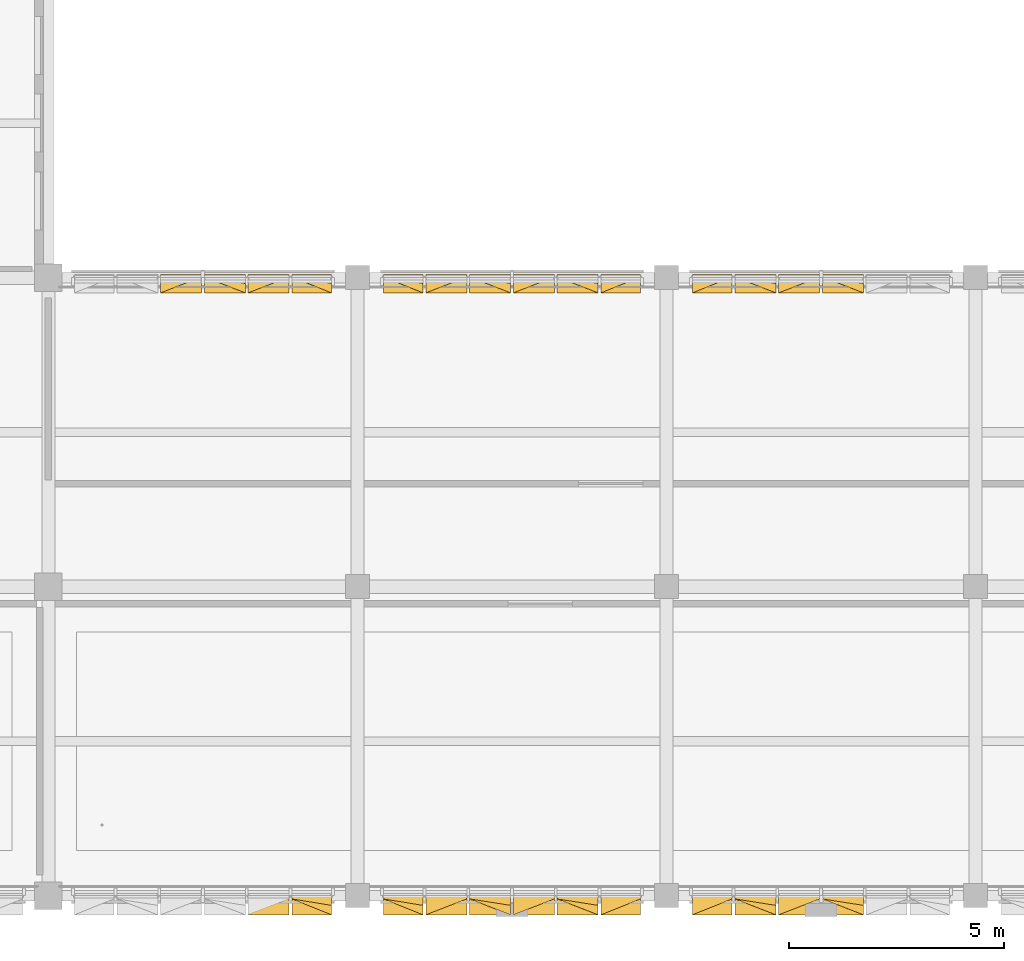
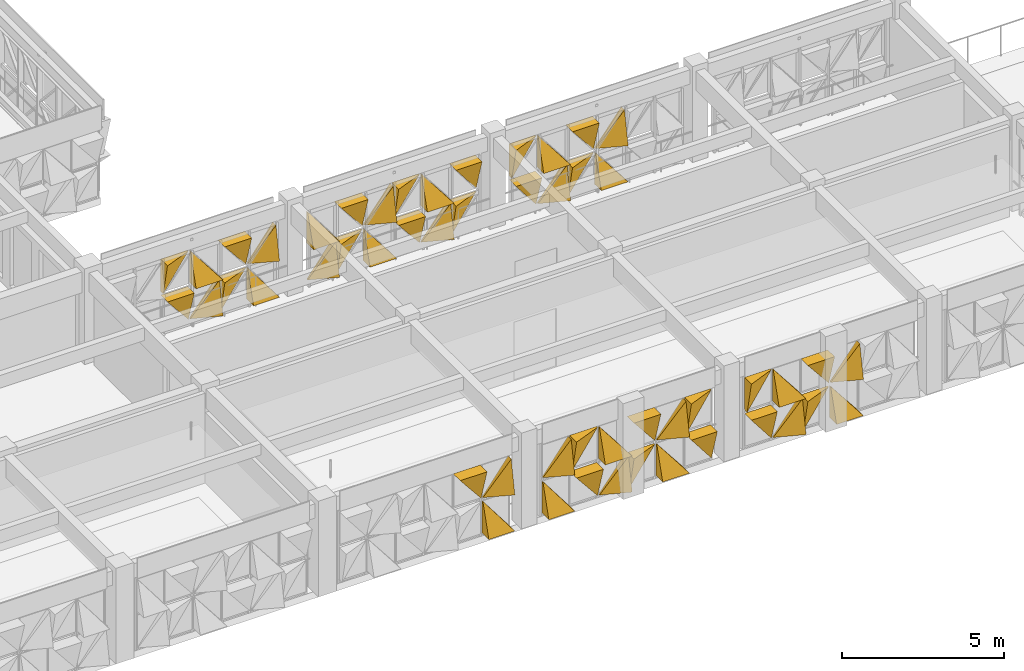
# One storey, part 78 of 85: 51 coverings.
"""IFC4 building model written with IfcOpenShell, lengths in metres."""

from ifc_helpers import new_model, si_unit, direction, frame, origin, place, context, subcontext, project, spatial, polygons, material, layer, layer_set, type_object, element, save


model = new_model("IFC4")

# Units and contexts
model_context = context("Model", 3, precision=1e-05, world=origin(), true_north=direction((0.0, 1.0)))
body_context = subcontext(model_context, "Body", "Model", "MODEL_VIEW")
ifc_project = project(units=[si_unit("LENGTHUNIT", "METRE"), si_unit("AREAUNIT", "SQUARE_METRE"), si_unit("VOLUMEUNIT", "CUBIC_METRE"), si_unit("PLANEANGLEUNIT", "RADIAN"), si_unit("MASSUNIT", "GRAM", prefix="KILO")], contexts=[model_context])

# Site, building, storey
site_placement = place(None, origin())
site = spatial("IfcSite", under=ifc_project, at=site_placement, CompositionType="ELEMENT")
building_placement = place(site_placement, origin())
building = spatial("IfcBuilding", under=site, at=building_placement, Name="Alvorim Cloister Faculty of Sciences", CompositionType="ELEMENT")
storey_placement = place(building_placement, frame((0.0, 0.0, 8.550048828125)))
storey = spatial("IfcBuildingStorey", under=building, at=storey_placement, Name="L02", CompositionType="ELEMENT", Elevation=8.550048828125)

# Coverings
ifc_material = material(Name="Perforated Bronze Alloy Sheet", Category="metal")
ifc_layer = layer(ifc_material, 0.0380859375)
ifc_layer_set = layer_set([ifc_layer], Name="Perforated Bronze Alloy Sheet")
covering_type = type_object("IfcCoveringType", Name="COV-TRI-BRZ", PredefinedType="CLADDING", material=ifc_layer_set)
covering_1_placement = place(storey_placement, frame((31.41259765625, 14.445068359375, 0.139892578125), z_axis=(0.0, 0.0, 1.0), x_axis=(1.0, 0.0, 0.0)))
element("IfcCovering", 1, at=covering_1_placement, inside=storey, type_object=covering_type, Name="Diagonal Solid Metal Triangle TRI-TR", PredefinedType="CLADDING", context=body_context, shape_type="Tessellation", body=[
    polygons([(0.955078125, 0.0260009765625, 0.002), (0.955078125, 0.0260009765625, 1.215087890625), (0.002, 0.0260009765625, 1.215087890625), (0.955078125, -0.03, 0.002), (0.955078125, -0.4, 1.215087890625), (0.002, -0.4, 1.215087890625)], [[[1, 3, 2]], [[4, 5, 6]], [[1, 2, 5, 4]], [[2, 3, 6, 5]], [[3, 1, 4, 6]]], closed=True),
])
covering_2_placement = place(storey_placement, frame((31.41259765625, 14.445068359375, 1.494873046875), z_axis=(0.0, 0.0, 1.0), x_axis=(1.0, 0.0, 0.0)))
element("IfcCovering", 2, at=covering_2_placement, inside=storey, type_object=covering_type, Name="Diagonal Solid Metal Triangle TRI-TL", PredefinedType="CLADDING", context=body_context, shape_type="Tessellation", body=[
    polygons([(0.953078125, 0.0260009765625, 1.215087890625), (0.0, 0.0260009765625, 1.215087890625), (0.0, 0.0260009765625, 0.002), (0.953078125, -0.03, 1.215087890625), (0.0, -0.4, 1.215087890625), (0.0, -0.13999999999999999, 0.002)], [[[1, 3, 2]], [[4, 5, 6]], [[1, 2, 5, 4]], [[2, 3, 6, 5]], [[3, 1, 4, 6]]], closed=True),
])
covering_3_placement = place(storey_placement, frame((32.4326171875, 14.445068359375, 0.139892578125), z_axis=(0.0, 0.0, 1.0), x_axis=(1.0, 0.0, 0.0)))
element("IfcCovering", 3, at=covering_3_placement, inside=storey, type_object=covering_type, Name="Diagonal Solid Metal Triangle TRI-BR", PredefinedType="CLADDING", context=body_context, shape_type="Tessellation", body=[
    polygons([(0.002, 0.0260009765625, 0.0), (0.955078125, 0.0260009765625, 0.0), (0.955078125, 0.0260009765625, 1.213087890625), (0.002, -0.03, 0.0), (0.955078125, -0.4, 0.0), (0.955078125, -0.18000000000000002, 1.213087890625)], [[[1, 3, 2]], [[4, 5, 6]], [[1, 2, 5, 4]], [[2, 3, 6, 5]], [[3, 1, 4, 6]]], closed=True),
])
covering_4_placement = place(storey_placement, frame((32.4326171875, 14.445068359375, 1.494873046875), z_axis=(0.0, 0.0, 1.0), x_axis=(1.0, 0.0, 0.0)))
element("IfcCovering", 4, at=covering_4_placement, inside=storey, type_object=covering_type, Name="Diagonal Solid Metal Triangle TRI-BL", PredefinedType="CLADDING", context=body_context, shape_type="Tessellation", body=[
    polygons([(0.0, 0.0260009765625, 0.0), (0.953078125, 0.0260009765625, 0.0), (0.0, 0.0260009765625, 1.213087890625), (0.0, -0.4, 0.0), (0.953078125, -0.4, 0.0), (0.0, -0.03, 1.213087890625)], [[[1, 3, 2]], [[4, 5, 6]], [[1, 2, 5, 4]], [[2, 3, 6, 5]], [[3, 1, 4, 6]]], closed=True),
])
covering_5_placement = place(storey_placement, frame((33.452392578125, 14.445068359375, 0.139892578125), z_axis=(0.0, 0.0, 1.0), x_axis=(1.0, 0.0, 0.0)))
element("IfcCovering", 5, at=covering_5_placement, inside=storey, type_object=covering_type, Name="Diagonal Solid Metal Triangle TRI-TL", PredefinedType="CLADDING", context=body_context, shape_type="Tessellation", body=[
    polygons([(0.953078125, 0.0260009765625, 1.215087890625), (0.0, 0.0260009765625, 1.215087890625), (0.0, 0.0260009765625, 0.002), (0.953078125, -0.03, 1.215087890625), (0.0, -0.4, 1.215087890625), (0.0, -0.13999999999999999, 0.002)], [[[1, 3, 2]], [[4, 5, 6]], [[1, 2, 5, 4]], [[2, 3, 6, 5]], [[3, 1, 4, 6]]], closed=True),
])
covering_6_placement = place(storey_placement, frame((33.452392578125, 14.445068359375, 1.494873046875), z_axis=(0.0, 0.0, 1.0), x_axis=(1.0, 0.0, 0.0)))
element("IfcCovering", 6, at=covering_6_placement, inside=storey, type_object=covering_type, Name="Diagonal Solid Metal Triangle TRI-TR", PredefinedType="CLADDING", context=body_context, shape_type="Tessellation", body=[
    polygons([(0.955078125, 0.0260009765625, 0.002), (0.955078125, 0.0260009765625, 1.215087890625), (0.002, 0.0260009765625, 1.215087890625), (0.955078125, -0.03, 0.002), (0.955078125, -0.4, 1.215087890625), (0.002, -0.4, 1.215087890625)], [[[1, 3, 2]], [[4, 5, 6]], [[1, 2, 5, 4]], [[2, 3, 6, 5]], [[3, 1, 4, 6]]], closed=True),
])
covering_7_placement = place(storey_placement, frame((34.472412109375, 14.445068359375, 0.139892578125), z_axis=(0.0, 0.0, 1.0), x_axis=(1.0, 0.0, 0.0)))
element("IfcCovering", 7, at=covering_7_placement, inside=storey, type_object=covering_type, Name="Diagonal Solid Metal Triangle TRI-BL", PredefinedType="CLADDING", context=body_context, shape_type="Tessellation", body=[
    polygons([(0.0, 0.0260009765625, 0.0), (0.920607421875, 0.0260009765625, 0.0), (0.0, 0.0260009765625, 1.213087890625), (0.0, -0.4, 0.0), (0.920607421875, -0.4, 0.0), (0.0, -0.03, 1.213087890625)], [[[1, 3, 2]], [[4, 5, 6]], [[1, 2, 5, 4]], [[2, 3, 6, 5]], [[3, 1, 4, 6]]], closed=True),
])
for number, where, z_axis, x_axis, name in (
    (8, (34.472412109375, 14.445068359375, 1.494873046875), (0.0, 0.0, 1.0), (1.0, 0.0, 0.0), "Diagonal Solid Metal Triangle TRI-BR"),
    (9, (36.60498046875, 14.445068359375, 0.139892578125), (0.0, 0.0, 1.0), (1.0, 0.0, 0.0), "Diagonal Solid Metal Triangle TRI-BR"),
):
    element("IfcCovering", number, at=place(storey_placement, frame(where, z_axis=z_axis, x_axis=x_axis)), inside=storey, type_object=covering_type, Name=name, PredefinedType="CLADDING", context=body_context, shape_type="Tessellation", body=[
        polygons([(0.002, 0.0260009765625, 0.0), (0.922607421875, 0.0260009765625, 0.0), (0.922607421875, 0.0260009765625, 1.213087890625), (0.002, -0.03, 0.0), (0.922607421875, -0.4, 0.0), (0.922607421875, -0.18000000000000002, 1.213087890625)], [[[1, 3, 2]], [[4, 5, 6]], [[1, 2, 5, 4]], [[2, 3, 6, 5]], [[3, 1, 4, 6]]], closed=True),
    ])
covering_8_placement = place(storey_placement, frame((36.60498046875, 14.445068359375, 1.494873046875), z_axis=(0.0, 0.0, 1.0), x_axis=(1.0, 0.0, 0.0)))
element("IfcCovering", 10, at=covering_8_placement, inside=storey, type_object=covering_type, Name="Diagonal Solid Metal Triangle TRI-BL", PredefinedType="CLADDING", context=body_context, shape_type="Tessellation", body=[
    polygons([(0.0, 0.0260009765625, 0.0), (0.920607421875, 0.0260009765625, 0.0), (0.0, 0.0260009765625, 1.213087890625), (0.0, -0.4, 0.0), (0.920607421875, -0.4, 0.0), (0.0, -0.03, 1.213087890625)], [[[1, 3, 2]], [[4, 5, 6]], [[1, 2, 5, 4]], [[2, 3, 6, 5]], [[3, 1, 4, 6]]], closed=True),
])
covering_9_placement = place(storey_placement, frame((37.592529296875, 14.445068359375, 0.139892578125), z_axis=(0.0, 0.0, 1.0), x_axis=(1.0, 0.0, 0.0)))
element("IfcCovering", 11, at=covering_9_placement, inside=storey, type_object=covering_type, Name="Diagonal Solid Metal Triangle TRI-TL", PredefinedType="CLADDING", context=body_context, shape_type="Tessellation", body=[
    polygons([(0.953078125, 0.0260009765625, 1.215087890625), (0.0, 0.0260009765625, 1.215087890625), (0.0, 0.0260009765625, 0.002), (0.953078125, -0.03, 1.215087890625), (0.0, -0.4, 1.215087890625), (0.0, -0.13999999999999999, 0.002)], [[[1, 3, 2]], [[4, 5, 6]], [[1, 2, 5, 4]], [[2, 3, 6, 5]], [[3, 1, 4, 6]]], closed=True),
])
covering_10_placement = place(storey_placement, frame((37.592529296875, 14.445068359375, 1.494873046875), z_axis=(0.0, 0.0, 1.0), x_axis=(1.0, 0.0, 0.0)))
element("IfcCovering", 12, at=covering_10_placement, inside=storey, type_object=covering_type, Name="Diagonal Solid Metal Triangle TRI-TR", PredefinedType="CLADDING", context=body_context, shape_type="Tessellation", body=[
    polygons([(0.955078125, 0.0260009765625, 0.002), (0.955078125, 0.0260009765625, 1.215087890625), (0.002, 0.0260009765625, 1.215087890625), (0.955078125, -0.03, 0.002), (0.955078125, -0.4, 1.215087890625), (0.002, -0.4, 1.215087890625)], [[[1, 3, 2]], [[4, 5, 6]], [[1, 2, 5, 4]], [[2, 3, 6, 5]], [[3, 1, 4, 6]]], closed=True),
])
covering_11_placement = place(storey_placement, frame((38.612548828125, 14.445068359375, 0.139892578125), z_axis=(0.0, 0.0, 1.0), x_axis=(1.0, 0.0, 0.0)))
element("IfcCovering", 13, at=covering_11_placement, inside=storey, type_object=covering_type, Name="Diagonal Solid Metal Triangle TRI-BL", PredefinedType="CLADDING", context=body_context, shape_type="Tessellation", body=[
    polygons([(0.0, 0.0260009765625, 0.0), (0.953078125, 0.0260009765625, 0.0), (0.0, 0.0260009765625, 1.213087890625), (0.0, -0.4, 0.0), (0.953078125, -0.4, 0.0), (0.0, -0.03, 1.213087890625)], [[[1, 3, 2]], [[4, 5, 6]], [[1, 2, 5, 4]], [[2, 3, 6, 5]], [[3, 1, 4, 6]]], closed=True),
])
covering_12_placement = place(storey_placement, frame((38.612548828125, 14.445068359375, 1.494873046875), z_axis=(0.0, 0.0, 1.0), x_axis=(1.0, 0.0, 0.0)))
element("IfcCovering", 14, at=covering_12_placement, inside=storey, type_object=covering_type, Name="Diagonal Solid Metal Triangle TRI-BR", PredefinedType="CLADDING", context=body_context, shape_type="Tessellation", body=[
    polygons([(0.002, 0.0260009765625, 0.0), (0.955078125, 0.0260009765625, 0.0), (0.955078125, 0.0260009765625, 1.213087890625), (0.002, -0.03, 0.0), (0.955078125, -0.4, 0.0), (0.955078125, -0.18000000000000002, 1.213087890625)], [[[1, 3, 2]], [[4, 5, 6]], [[1, 2, 5, 4]], [[2, 3, 6, 5]], [[3, 1, 4, 6]]], closed=True),
])
covering_13_placement = place(storey_placement, frame((39.632568359375, 14.445068359375, 0.139892578125), z_axis=(0.0, 0.0, 1.0), x_axis=(1.0, 0.0, 0.0)))
element("IfcCovering", 15, at=covering_13_placement, inside=storey, type_object=covering_type, Name="Diagonal Solid Metal Triangle TRI-TR", PredefinedType="CLADDING", context=body_context, shape_type="Tessellation", body=[
    polygons([(0.955078125, 0.0260009765625, 0.002), (0.955078125, 0.0260009765625, 1.215087890625), (0.002, 0.0260009765625, 1.215087890625), (0.955078125, -0.03, 0.002), (0.955078125, -0.4, 1.215087890625), (0.002, -0.4, 1.215087890625)], [[[1, 3, 2]], [[4, 5, 6]], [[1, 2, 5, 4]], [[2, 3, 6, 5]], [[3, 1, 4, 6]]], closed=True),
])
covering_14_placement = place(storey_placement, frame((39.632568359375, 14.445068359375, 1.494873046875), z_axis=(0.0, 0.0, 1.0), x_axis=(1.0, 0.0, 0.0)))
element("IfcCovering", 16, at=covering_14_placement, inside=storey, type_object=covering_type, Name="Diagonal Solid Metal Triangle TRI-TL", PredefinedType="CLADDING", context=body_context, shape_type="Tessellation", body=[
    polygons([(0.953078125, 0.0260009765625, 1.215087890625), (0.0, 0.0260009765625, 1.215087890625), (0.0, 0.0260009765625, 0.002), (0.953078125, -0.03, 1.215087890625), (0.0, -0.4, 1.215087890625), (0.0, -0.13999999999999999, 0.002)], [[[1, 3, 2]], [[4, 5, 6]], [[1, 2, 5, 4]], [[2, 3, 6, 5]], [[3, 1, 4, 6]]], closed=True),
])
covering_15_placement = place(storey_placement, frame((40.652587890625, 14.445068359375, 0.139892578125), z_axis=(0.0, 0.0, 1.0), x_axis=(1.0, 0.0, 0.0)))
element("IfcCovering", 17, at=covering_15_placement, inside=storey, type_object=covering_type, Name="Diagonal Solid Metal Triangle TRI-BR", PredefinedType="CLADDING", context=body_context, shape_type="Tessellation", body=[
    polygons([(0.002, 0.0260009765625, 0.0), (0.955078125, 0.0260009765625, 0.0), (0.955078125, 0.0260009765625, 1.213087890625), (0.002, -0.03, 0.0), (0.955078125, -0.4, 0.0), (0.955078125, -0.18000000000000002, 1.213087890625)], [[[1, 3, 2]], [[4, 5, 6]], [[1, 2, 5, 4]], [[2, 3, 6, 5]], [[3, 1, 4, 6]]], closed=True),
])
covering_16_placement = place(storey_placement, frame((40.652587890625, 14.445068359375, 1.494873046875), z_axis=(0.0, 0.0, 1.0), x_axis=(1.0, 0.0, 0.0)))
element("IfcCovering", 18, at=covering_16_placement, inside=storey, type_object=covering_type, Name="Diagonal Solid Metal Triangle TRI-BL", PredefinedType="CLADDING", context=body_context, shape_type="Tessellation", body=[
    polygons([(0.0, 0.0260009765625, 0.0), (0.953078125, 0.0260009765625, 0.0), (0.0, 0.0260009765625, 1.213087890625), (0.0, -0.4, 0.0), (0.953078125, -0.4, 0.0), (0.0, -0.03, 1.213087890625)], [[[1, 3, 2]], [[4, 5, 6]], [[1, 2, 5, 4]], [[2, 3, 6, 5]], [[3, 1, 4, 6]]], closed=True),
])
covering_17_placement = place(storey_placement, frame((41.672607421875, 14.445068359375, 0.139892578125), z_axis=(0.0, 0.0, 1.0), x_axis=(1.0, 0.0, 0.0)))
element("IfcCovering", 19, at=covering_17_placement, inside=storey, type_object=covering_type, Name="Diagonal Solid Metal Triangle TRI-TL", PredefinedType="CLADDING", context=body_context, shape_type="Tessellation", body=[
    polygons([(0.920607421875, 0.0260009765625, 1.215087890625), (0.0, 0.0260009765625, 1.215087890625), (0.0, 0.0260009765625, 0.002), (0.920607421875, -0.03, 1.215087890625), (0.0, -0.4, 1.215087890625), (0.0, -0.13999999999999999, 0.002)], [[[1, 3, 2]], [[4, 5, 6]], [[1, 2, 5, 4]], [[2, 3, 6, 5]], [[3, 1, 4, 6]]], closed=True),
])
for number, where, z_axis, x_axis, name in (
    (20, (41.672607421875, 14.445068359375, 1.494873046875), (0.0, 0.0, 1.0), (1.0, 0.0, 0.0), "Diagonal Solid Metal Triangle TRI-TR"),
    (21, (43.804931640625, 14.445068359375, 0.139892578125), (0.0, 0.0, 1.0), (1.0, 0.0, 0.0), "Diagonal Solid Metal Triangle TRI-TR"),
):
    element("IfcCovering", number, at=place(storey_placement, frame(where, z_axis=z_axis, x_axis=x_axis)), inside=storey, type_object=covering_type, Name=name, PredefinedType="CLADDING", context=body_context, shape_type="Tessellation", body=[
        polygons([(0.922607421875, 0.0260009765625, 0.002), (0.922607421875, 0.0260009765625, 1.215087890625), (0.002, 0.0260009765625, 1.215087890625), (0.922607421875, -0.03, 0.002), (0.922607421875, -0.4, 1.215087890625), (0.002, -0.4, 1.215087890625)], [[[1, 3, 2]], [[4, 5, 6]], [[1, 2, 5, 4]], [[2, 3, 6, 5]], [[3, 1, 4, 6]]], closed=True),
    ])
covering_18_placement = place(storey_placement, frame((43.804931640625, 14.445068359375, 1.494873046875), z_axis=(0.0, 0.0, 1.0), x_axis=(1.0, 0.0, 0.0)))
element("IfcCovering", 22, at=covering_18_placement, inside=storey, type_object=covering_type, Name="Diagonal Solid Metal Triangle TRI-TL", PredefinedType="CLADDING", context=body_context, shape_type="Tessellation", body=[
    polygons([(0.920607421875, 0.0260009765625, 1.215087890625), (0.0, 0.0260009765625, 1.215087890625), (0.0, 0.0260009765625, 0.002), (0.920607421875, -0.03, 1.215087890625), (0.0, -0.4, 1.215087890625), (0.0, -0.13999999999999999, 0.002)], [[[1, 3, 2]], [[4, 5, 6]], [[1, 2, 5, 4]], [[2, 3, 6, 5]], [[3, 1, 4, 6]]], closed=True),
])
covering_19_placement = place(storey_placement, frame((44.79248046875, 14.445068359375, 0.139892578125), z_axis=(0.0, 0.0, 1.0), x_axis=(1.0, 0.0, 0.0)))
element("IfcCovering", 23, at=covering_19_placement, inside=storey, type_object=covering_type, Name="Diagonal Solid Metal Triangle TRI-BR", PredefinedType="CLADDING", context=body_context, shape_type="Tessellation", body=[
    polygons([(0.002, 0.0260009765625, 0.0), (0.955078125, 0.0260009765625, 0.0), (0.955078125, 0.0260009765625, 1.213087890625), (0.002, -0.03, 0.0), (0.955078125, -0.4, 0.0), (0.955078125, -0.18000000000000002, 1.213087890625)], [[[1, 3, 2]], [[4, 5, 6]], [[1, 2, 5, 4]], [[2, 3, 6, 5]], [[3, 1, 4, 6]]], closed=True),
])
covering_20_placement = place(storey_placement, frame((44.79248046875, 14.445068359375, 1.494873046875), z_axis=(0.0, 0.0, 1.0), x_axis=(1.0, 0.0, 0.0)))
element("IfcCovering", 24, at=covering_20_placement, inside=storey, type_object=covering_type, Name="Diagonal Solid Metal Triangle TRI-BL", PredefinedType="CLADDING", context=body_context, shape_type="Tessellation", body=[
    polygons([(0.0, 0.0260009765625, 0.0), (0.953078125, 0.0260009765625, 0.0), (0.0, 0.0260009765625, 1.213087890625), (0.0, -0.4, 0.0), (0.953078125, -0.4, 0.0), (0.0, -0.03, 1.213087890625)], [[[1, 3, 2]], [[4, 5, 6]], [[1, 2, 5, 4]], [[2, 3, 6, 5]], [[3, 1, 4, 6]]], closed=True),
])
covering_21_placement = place(storey_placement, frame((45.8125, 14.445068359375, 0.139892578125), z_axis=(0.0, 0.0, 1.0), x_axis=(1.0, 0.0, 0.0)))
element("IfcCovering", 25, at=covering_21_placement, inside=storey, type_object=covering_type, Name="Diagonal Solid Metal Triangle TRI-TL", PredefinedType="CLADDING", context=body_context, shape_type="Tessellation", body=[
    polygons([(0.953078125, 0.0260009765625, 1.215087890625), (0.0, 0.0260009765625, 1.215087890625), (0.0, 0.0260009765625, 0.002), (0.953078125, -0.03, 1.215087890625), (0.0, -0.4, 1.215087890625), (0.0, -0.13999999999999999, 0.002)], [[[1, 3, 2]], [[4, 5, 6]], [[1, 2, 5, 4]], [[2, 3, 6, 5]], [[3, 1, 4, 6]]], closed=True),
])
covering_22_placement = place(storey_placement, frame((45.8125, 14.445068359375, 1.494873046875), z_axis=(0.0, 0.0, 1.0), x_axis=(1.0, 0.0, 0.0)))
element("IfcCovering", 26, at=covering_22_placement, inside=storey, type_object=covering_type, Name="Diagonal Solid Metal Triangle TRI-TR", PredefinedType="CLADDING", context=body_context, shape_type="Tessellation", body=[
    polygons([(0.955078125, 0.0260009765625, 0.002), (0.955078125, 0.0260009765625, 1.215087890625), (0.002, 0.0260009765625, 1.215087890625), (0.955078125, -0.03, 0.002), (0.955078125, -0.4, 1.215087890625), (0.002, -0.4, 1.215087890625)], [[[1, 3, 2]], [[4, 5, 6]], [[1, 2, 5, 4]], [[2, 3, 6, 5]], [[3, 1, 4, 6]]], closed=True),
])
covering_23_placement = place(storey_placement, frame((46.83251953125, 14.445068359375, 0.139892578125), z_axis=(0.0, 0.0, 1.0), x_axis=(1.0, 0.0, 0.0)))
element("IfcCovering", 27, at=covering_23_placement, inside=storey, type_object=covering_type, Name="Diagonal Solid Metal Triangle TRI-BL", PredefinedType="CLADDING", context=body_context, shape_type="Tessellation", body=[
    polygons([(0.0, 0.0260009765625, 0.0), (0.953078125, 0.0260009765625, 0.0), (0.0, 0.0260009765625, 1.213087890625), (0.0, -0.4, 0.0), (0.953078125, -0.4, 0.0), (0.0, -0.03, 1.213087890625)], [[[1, 3, 2]], [[4, 5, 6]], [[1, 2, 5, 4]], [[2, 3, 6, 5]], [[3, 1, 4, 6]]], closed=True),
])
covering_24_placement = place(storey_placement, frame((46.83251953125, 14.445068359375, 1.494873046875), z_axis=(0.0, 0.0, 1.0), x_axis=(1.0, 0.0, 0.0)))
element("IfcCovering", 28, at=covering_24_placement, inside=storey, type_object=covering_type, Name="Diagonal Solid Metal Triangle TRI-BR", PredefinedType="CLADDING", context=body_context, shape_type="Tessellation", body=[
    polygons([(0.002, 0.0260009765625, 0.0), (0.955078125, 0.0260009765625, 0.0), (0.955078125, 0.0260009765625, 1.213087890625), (0.002, -0.03, 0.0), (0.955078125, -0.4, 0.0), (0.955078125, -0.18000000000000002, 1.213087890625)], [[[1, 3, 2]], [[4, 5, 6]], [[1, 2, 5, 4]], [[2, 3, 6, 5]], [[3, 1, 4, 6]]], closed=True),
])
covering_25_placement = place(storey_placement, frame((43.804931640625, -0.044921875, 0.139892578125), z_axis=(0.0, 0.0, 1.0), x_axis=(1.0, 0.0, 0.0)))
element("IfcCovering", 29, at=covering_25_placement, inside=storey, type_object=covering_type, Name="Diagonal Solid Metal Triangle TRI-TR", PredefinedType="CLADDING", context=body_context, shape_type="Tessellation", body=[
    polygons([(0.922607421875, 0.0260009765625, 0.002), (0.922607421875, 0.0260009765625, 1.215087890625), (0.002, 0.0260009765625, 1.215087890625), (0.922607421875, -0.03, 0.002), (0.922607421875, -0.4, 1.215087890625), (0.002, -0.4, 1.215087890625)], [[[1, 3, 2]], [[4, 5, 6]], [[1, 2, 5, 4]], [[2, 3, 6, 5]], [[3, 1, 4, 6]]], closed=True),
])
covering_26_placement = place(storey_placement, frame((43.804931640625, -0.044921875, 1.494873046875), z_axis=(0.0, 0.0, 1.0), x_axis=(1.0, 0.0, 0.0)))
element("IfcCovering", 30, at=covering_26_placement, inside=storey, type_object=covering_type, Name="Diagonal Solid Metal Triangle TRI-TL", PredefinedType="CLADDING", context=body_context, shape_type="Tessellation", body=[
    polygons([(0.920607421875, 0.0260009765625, 1.215087890625), (0.0, 0.0260009765625, 1.215087890625), (0.0, 0.0260009765625, 0.002), (0.920607421875, -0.03, 1.215087890625), (0.0, -0.4, 1.215087890625), (0.0, -0.13999999999999999, 0.002)], [[[1, 3, 2]], [[4, 5, 6]], [[1, 2, 5, 4]], [[2, 3, 6, 5]], [[3, 1, 4, 6]]], closed=True),
])
covering_27_placement = place(storey_placement, frame((44.79248046875, -0.044921875, 0.139892578125), z_axis=(0.0, 0.0, 1.0), x_axis=(1.0, 0.0, 0.0)))
element("IfcCovering", 31, at=covering_27_placement, inside=storey, type_object=covering_type, Name="Diagonal Solid Metal Triangle TRI-BR", PredefinedType="CLADDING", context=body_context, shape_type="Tessellation", body=[
    polygons([(0.002, 0.0260009765625, 0.0), (0.955078125, 0.0260009765625, 0.0), (0.955078125, 0.0260009765625, 1.213087890625), (0.002, -0.03, 0.0), (0.955078125, -0.4, 0.0), (0.955078125, -0.18000000000000002, 1.213087890625)], [[[1, 3, 2]], [[4, 5, 6]], [[1, 2, 5, 4]], [[2, 3, 6, 5]], [[3, 1, 4, 6]]], closed=True),
])
covering_28_placement = place(storey_placement, frame((44.79248046875, -0.044921875, 1.494873046875), z_axis=(0.0, 0.0, 1.0), x_axis=(1.0, 0.0, 0.0)))
element("IfcCovering", 32, at=covering_28_placement, inside=storey, type_object=covering_type, Name="Diagonal Solid Metal Triangle TRI-BL", PredefinedType="CLADDING", context=body_context, shape_type="Tessellation", body=[
    polygons([(0.0, 0.0260009765625, 0.0), (0.953078125, 0.0260009765625, 0.0), (0.0, 0.0260009765625, 1.213087890625), (0.0, -0.4, 0.0), (0.953078125, -0.4, 0.0), (0.0, -0.03, 1.213087890625)], [[[1, 3, 2]], [[4, 5, 6]], [[1, 2, 5, 4]], [[2, 3, 6, 5]], [[3, 1, 4, 6]]], closed=True),
])
covering_29_placement = place(storey_placement, frame((45.8125, -0.044921875, 0.139892578125), z_axis=(0.0, 0.0, 1.0), x_axis=(1.0, 0.0, 0.0)))
element("IfcCovering", 33, at=covering_29_placement, inside=storey, type_object=covering_type, Name="Diagonal Solid Metal Triangle TRI-TL", PredefinedType="CLADDING", context=body_context, shape_type="Tessellation", body=[
    polygons([(0.953078125, 0.0260009765625, 1.215087890625), (0.0, 0.0260009765625, 1.215087890625), (0.0, 0.0260009765625, 0.002), (0.953078125, -0.03, 1.215087890625), (0.0, -0.4, 1.215087890625), (0.0, -0.13999999999999999, 0.002)], [[[1, 3, 2]], [[4, 5, 6]], [[1, 2, 5, 4]], [[2, 3, 6, 5]], [[3, 1, 4, 6]]], closed=True),
])
covering_30_placement = place(storey_placement, frame((45.8125, -0.044921875, 1.494873046875), z_axis=(0.0, 0.0, 1.0), x_axis=(1.0, 0.0, 0.0)))
element("IfcCovering", 34, at=covering_30_placement, inside=storey, type_object=covering_type, Name="Diagonal Solid Metal Triangle TRI-TR", PredefinedType="CLADDING", context=body_context, shape_type="Tessellation", body=[
    polygons([(0.955078125, 0.0260009765625, 0.002), (0.955078125, 0.0260009765625, 1.215087890625), (0.002, 0.0260009765625, 1.215087890625), (0.955078125, -0.03, 0.002), (0.955078125, -0.4, 1.215087890625), (0.002, -0.4, 1.215087890625)], [[[1, 3, 2]], [[4, 5, 6]], [[1, 2, 5, 4]], [[2, 3, 6, 5]], [[3, 1, 4, 6]]], closed=True),
])
covering_31_placement = place(storey_placement, frame((46.83251953125, -0.044921875, 0.139892578125), z_axis=(0.0, 0.0, 1.0), x_axis=(1.0, 0.0, 0.0)))
element("IfcCovering", 35, at=covering_31_placement, inside=storey, type_object=covering_type, Name="Diagonal Solid Metal Triangle TRI-BL", PredefinedType="CLADDING", context=body_context, shape_type="Tessellation", body=[
    polygons([(0.0, 0.0260009765625, 0.0), (0.953078125, 0.0260009765625, 0.0), (0.0, 0.0260009765625, 1.213087890625), (0.0, -0.4, 0.0), (0.953078125, -0.4, 0.0), (0.0, -0.03, 1.213087890625)], [[[1, 3, 2]], [[4, 5, 6]], [[1, 2, 5, 4]], [[2, 3, 6, 5]], [[3, 1, 4, 6]]], closed=True),
])
covering_32_placement = place(storey_placement, frame((46.83251953125, -0.044921875, 1.494873046875), z_axis=(0.0, 0.0, 1.0), x_axis=(1.0, 0.0, 0.0)))
element("IfcCovering", 36, at=covering_32_placement, inside=storey, type_object=covering_type, Name="Diagonal Solid Metal Triangle TRI-BR", PredefinedType="CLADDING", context=body_context, shape_type="Tessellation", body=[
    polygons([(0.002, 0.0260009765625, 0.0), (0.955078125, 0.0260009765625, 0.0), (0.955078125, 0.0260009765625, 1.213087890625), (0.002, -0.03, 0.0), (0.955078125, -0.4, 0.0), (0.955078125, -0.18000000000000002, 1.213087890625)], [[[1, 3, 2]], [[4, 5, 6]], [[1, 2, 5, 4]], [[2, 3, 6, 5]], [[3, 1, 4, 6]]], closed=True),
])
covering_33_placement = place(storey_placement, frame((36.60498046875, -0.044921875, 0.139892578125), z_axis=(0.0, 0.0, 1.0), x_axis=(1.0, 0.0, 0.0)))
element("IfcCovering", 37, at=covering_33_placement, inside=storey, type_object=covering_type, Name="Diagonal Solid Metal Triangle TRI-BL", PredefinedType="CLADDING", context=body_context, shape_type="Tessellation", body=[
    polygons([(0.0, 0.0260009765625, 0.0), (0.920607421875, 0.0260009765625, 0.0), (0.0, 0.0260009765625, 1.213087890625), (0.0, -0.4, 0.0), (0.920607421875, -0.4, 0.0), (0.0, -0.03, 1.213087890625)], [[[1, 3, 2]], [[4, 5, 6]], [[1, 2, 5, 4]], [[2, 3, 6, 5]], [[3, 1, 4, 6]]], closed=True),
])
covering_34_placement = place(storey_placement, frame((36.60498046875, -0.044921875, 1.494873046875), z_axis=(0.0, 0.0, 1.0), x_axis=(1.0, 0.0, 0.0)))
element("IfcCovering", 38, at=covering_34_placement, inside=storey, type_object=covering_type, Name="Diagonal Solid Metal Triangle TRI-BR", PredefinedType="CLADDING", context=body_context, shape_type="Tessellation", body=[
    polygons([(0.002, 0.0260009765625, 0.0), (0.922607421875, 0.0260009765625, 0.0), (0.922607421875, 0.0260009765625, 1.213087890625), (0.002, -0.03, 0.0), (0.922607421875, -0.4, 0.0), (0.922607421875, -0.18000000000000002, 1.213087890625)], [[[1, 3, 2]], [[4, 5, 6]], [[1, 2, 5, 4]], [[2, 3, 6, 5]], [[3, 1, 4, 6]]], closed=True),
])
covering_35_placement = place(storey_placement, frame((37.592529296875, -0.044921875, 0.139892578125), z_axis=(0.0, 0.0, 1.0), x_axis=(1.0, 0.0, 0.0)))
element("IfcCovering", 39, at=covering_35_placement, inside=storey, type_object=covering_type, Name="Diagonal Solid Metal Triangle TRI-TR", PredefinedType="CLADDING", context=body_context, shape_type="Tessellation", body=[
    polygons([(0.955078125, 0.0260009765625, 0.002), (0.955078125, 0.0260009765625, 1.215087890625), (0.002, 0.0260009765625, 1.215087890625), (0.955078125, -0.03, 0.002), (0.955078125, -0.4, 1.215087890625), (0.002, -0.4, 1.215087890625)], [[[1, 3, 2]], [[4, 5, 6]], [[1, 2, 5, 4]], [[2, 3, 6, 5]], [[3, 1, 4, 6]]], closed=True),
])
covering_36_placement = place(storey_placement, frame((37.592529296875, -0.044921875, 1.494873046875), z_axis=(0.0, 0.0, 1.0), x_axis=(1.0, 0.0, 0.0)))
element("IfcCovering", 40, at=covering_36_placement, inside=storey, type_object=covering_type, Name="Diagonal Solid Metal Triangle TRI-TL", PredefinedType="CLADDING", context=body_context, shape_type="Tessellation", body=[
    polygons([(0.953078125, 0.0260009765625, 1.215087890625), (0.0, 0.0260009765625, 1.215087890625), (0.0, 0.0260009765625, 0.002), (0.953078125, -0.03, 1.215087890625), (0.0, -0.4, 1.215087890625), (0.0, -0.13999999999999999, 0.002)], [[[1, 3, 2]], [[4, 5, 6]], [[1, 2, 5, 4]], [[2, 3, 6, 5]], [[3, 1, 4, 6]]], closed=True),
])
covering_37_placement = place(storey_placement, frame((38.612548828125, -0.044921875, 0.139892578125), z_axis=(0.0, 0.0, 1.0), x_axis=(1.0, 0.0, 0.0)))
element("IfcCovering", 41, at=covering_37_placement, inside=storey, type_object=covering_type, Name="Diagonal Solid Metal Triangle TRI-BR", PredefinedType="CLADDING", context=body_context, shape_type="Tessellation", body=[
    polygons([(0.002, 0.0260009765625, 0.0), (0.955078125, 0.0260009765625, 0.0), (0.955078125, 0.0260009765625, 1.213087890625), (0.002, -0.03, 0.0), (0.955078125, -0.4, 0.0), (0.955078125, -0.18000000000000002, 1.213087890625)], [[[1, 3, 2]], [[4, 5, 6]], [[1, 2, 5, 4]], [[2, 3, 6, 5]], [[3, 1, 4, 6]]], closed=True),
])
covering_38_placement = place(storey_placement, frame((38.612548828125, -0.044921875, 1.494873046875), z_axis=(0.0, 0.0, 1.0), x_axis=(1.0, 0.0, 0.0)))
element("IfcCovering", 42, at=covering_38_placement, inside=storey, type_object=covering_type, Name="Diagonal Solid Metal Triangle TRI-BL", PredefinedType="CLADDING", context=body_context, shape_type="Tessellation", body=[
    polygons([(0.0, 0.0260009765625, 0.0), (0.953078125, 0.0260009765625, 0.0), (0.0, 0.0260009765625, 1.213087890625), (0.0, -0.4, 0.0), (0.953078125, -0.4, 0.0), (0.0, -0.03, 1.213087890625)], [[[1, 3, 2]], [[4, 5, 6]], [[1, 2, 5, 4]], [[2, 3, 6, 5]], [[3, 1, 4, 6]]], closed=True),
])
covering_39_placement = place(storey_placement, frame((39.632568359375, -0.044921875, 0.139892578125), z_axis=(0.0, 0.0, 1.0), x_axis=(1.0, 0.0, 0.0)))
element("IfcCovering", 43, at=covering_39_placement, inside=storey, type_object=covering_type, Name="Diagonal Solid Metal Triangle TRI-TL", PredefinedType="CLADDING", context=body_context, shape_type="Tessellation", body=[
    polygons([(0.953078125, 0.0260009765625, 1.215087890625), (0.0, 0.0260009765625, 1.215087890625), (0.0, 0.0260009765625, 0.002), (0.953078125, -0.03, 1.215087890625), (0.0, -0.4, 1.215087890625), (0.0, -0.13999999999999999, 0.002)], [[[1, 3, 2]], [[4, 5, 6]], [[1, 2, 5, 4]], [[2, 3, 6, 5]], [[3, 1, 4, 6]]], closed=True),
])
covering_40_placement = place(storey_placement, frame((39.632568359375, -0.044921875, 1.494873046875), z_axis=(0.0, 0.0, 1.0), x_axis=(1.0, 0.0, 0.0)))
element("IfcCovering", 44, at=covering_40_placement, inside=storey, type_object=covering_type, Name="Diagonal Solid Metal Triangle TRI-TR", PredefinedType="CLADDING", context=body_context, shape_type="Tessellation", body=[
    polygons([(0.955078125, 0.0260009765625, 0.002), (0.955078125, 0.0260009765625, 1.215087890625), (0.002, 0.0260009765625, 1.215087890625), (0.955078125, -0.03, 0.002), (0.955078125, -0.4, 1.215087890625), (0.002, -0.4, 1.215087890625)], [[[1, 3, 2]], [[4, 5, 6]], [[1, 2, 5, 4]], [[2, 3, 6, 5]], [[3, 1, 4, 6]]], closed=True),
])
covering_41_placement = place(storey_placement, frame((40.652587890625, -0.044921875, 0.139892578125), z_axis=(0.0, 0.0, 1.0), x_axis=(1.0, 0.0, 0.0)))
element("IfcCovering", 45, at=covering_41_placement, inside=storey, type_object=covering_type, Name="Diagonal Solid Metal Triangle TRI-BL", PredefinedType="CLADDING", context=body_context, shape_type="Tessellation", body=[
    polygons([(0.0, 0.0260009765625, 0.0), (0.953078125, 0.0260009765625, 0.0), (0.0, 0.0260009765625, 1.213087890625), (0.0, -0.4, 0.0), (0.953078125, -0.4, 0.0), (0.0, -0.03, 1.213087890625)], [[[1, 3, 2]], [[4, 5, 6]], [[1, 2, 5, 4]], [[2, 3, 6, 5]], [[3, 1, 4, 6]]], closed=True),
])
covering_42_placement = place(storey_placement, frame((40.652587890625, -0.044921875, 1.494873046875), z_axis=(0.0, 0.0, 1.0), x_axis=(1.0, 0.0, 0.0)))
element("IfcCovering", 46, at=covering_42_placement, inside=storey, type_object=covering_type, Name="Diagonal Solid Metal Triangle TRI-BR", PredefinedType="CLADDING", context=body_context, shape_type="Tessellation", body=[
    polygons([(0.002, 0.0260009765625, 0.0), (0.955078125, 0.0260009765625, 0.0), (0.955078125, 0.0260009765625, 1.213087890625), (0.002, -0.03, 0.0), (0.955078125, -0.4, 0.0), (0.955078125, -0.18000000000000002, 1.213087890625)], [[[1, 3, 2]], [[4, 5, 6]], [[1, 2, 5, 4]], [[2, 3, 6, 5]], [[3, 1, 4, 6]]], closed=True),
])
covering_43_placement = place(storey_placement, frame((41.672607421875, -0.044921875, 0.139892578125), z_axis=(0.0, 0.0, 1.0), x_axis=(1.0, 0.0, 0.0)))
element("IfcCovering", 47, at=covering_43_placement, inside=storey, type_object=covering_type, Name="Diagonal Solid Metal Triangle TRI-TR", PredefinedType="CLADDING", context=body_context, shape_type="Tessellation", body=[
    polygons([(0.922607421875, 0.0260009765625, 0.002), (0.922607421875, 0.0260009765625, 1.215087890625), (0.002, 0.0260009765625, 1.215087890625), (0.922607421875, -0.03, 0.002), (0.922607421875, -0.4, 1.215087890625), (0.002, -0.4, 1.215087890625)], [[[1, 3, 2]], [[4, 5, 6]], [[1, 2, 5, 4]], [[2, 3, 6, 5]], [[3, 1, 4, 6]]], closed=True),
])
covering_44_placement = place(storey_placement, frame((41.672607421875, -0.044921875, 1.494873046875), z_axis=(0.0, 0.0, 1.0), x_axis=(1.0, 0.0, 0.0)))
element("IfcCovering", 48, at=covering_44_placement, inside=storey, type_object=covering_type, Name="Diagonal Solid Metal Triangle TRI-TL", PredefinedType="CLADDING", context=body_context, shape_type="Tessellation", body=[
    polygons([(0.920607421875, 0.0260009765625, 1.215087890625), (0.0, 0.0260009765625, 1.215087890625), (0.0, 0.0260009765625, 0.002), (0.920607421875, -0.03, 1.215087890625), (0.0, -0.4, 1.215087890625), (0.0, -0.13999999999999999, 0.002)], [[[1, 3, 2]], [[4, 5, 6]], [[1, 2, 5, 4]], [[2, 3, 6, 5]], [[3, 1, 4, 6]]], closed=True),
])
covering_45_placement = place(storey_placement, frame((33.452392578125, -0.044921875, 1.494873046875), z_axis=(0.0, 0.0, 1.0), x_axis=(1.0, 0.0, 0.0)))
element("IfcCovering", 49, at=covering_45_placement, inside=storey, type_object=covering_type, Name="Diagonal Solid Metal Triangle TRI-TR", PredefinedType="CLADDING", context=body_context, shape_type="Tessellation", body=[
    polygons([(0.955078125, 0.0260009765625, 0.002), (0.955078125, 0.0260009765625, 1.215087890625), (0.002, 0.0260009765625, 1.215087890625), (0.955078125, -0.03, 0.002), (0.955078125, -0.4, 1.215087890625), (0.002, -0.4, 1.215087890625)], [[[1, 3, 2]], [[4, 5, 6]], [[1, 2, 5, 4]], [[2, 3, 6, 5]], [[3, 1, 4, 6]]], closed=True),
])
covering_46_placement = place(storey_placement, frame((34.472412109375, -0.044921875, 0.139892578125), z_axis=(0.0, 0.0, 1.0), x_axis=(1.0, 0.0, 0.0)))
element("IfcCovering", 50, at=covering_46_placement, inside=storey, type_object=covering_type, Name="Diagonal Solid Metal Triangle TRI-BL", PredefinedType="CLADDING", context=body_context, shape_type="Tessellation", body=[
    polygons([(0.0, 0.0260009765625, 0.0), (0.920607421875, 0.0260009765625, 0.0), (0.0, 0.0260009765625, 1.213087890625), (0.0, -0.4, 0.0), (0.920607421875, -0.4, 0.0), (0.0, -0.03, 1.213087890625)], [[[1, 3, 2]], [[4, 5, 6]], [[1, 2, 5, 4]], [[2, 3, 6, 5]], [[3, 1, 4, 6]]], closed=True),
])
covering_47_placement = place(storey_placement, frame((34.472412109375, -0.044921875, 1.494873046875), z_axis=(0.0, 0.0, 1.0), x_axis=(1.0, 0.0, 0.0)))
element("IfcCovering", 51, at=covering_47_placement, inside=storey, type_object=covering_type, Name="Diagonal Solid Metal Triangle TRI-BR", PredefinedType="CLADDING", context=body_context, shape_type="Tessellation", body=[
    polygons([(0.002, 0.0260009765625, 0.0), (0.922607421875, 0.0260009765625, 0.0), (0.922607421875, 0.0260009765625, 1.213087890625), (0.002, -0.03, 0.0), (0.922607421875, -0.4, 0.0), (0.922607421875, -0.18000000000000002, 1.213087890625)], [[[1, 3, 2]], [[4, 5, 6]], [[1, 2, 5, 4]], [[2, 3, 6, 5]], [[3, 1, 4, 6]]], closed=True),
])

save(model, "model.ifc")
